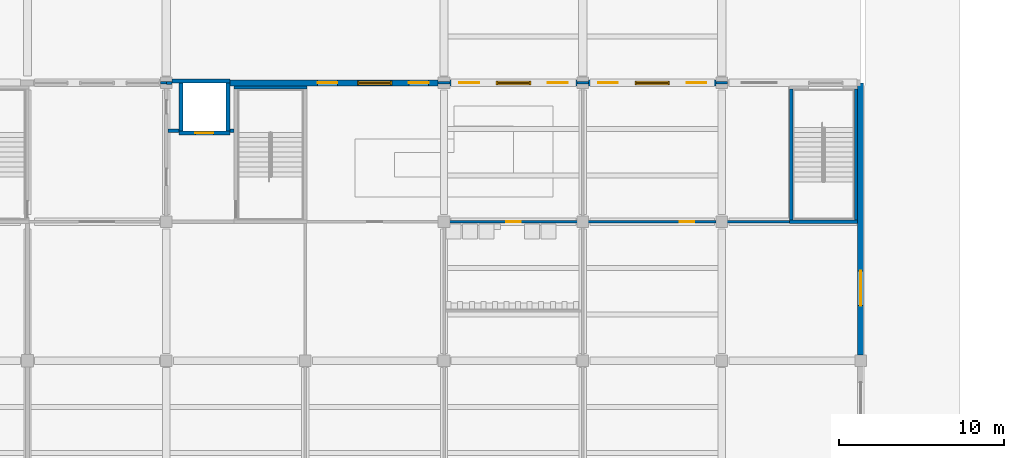
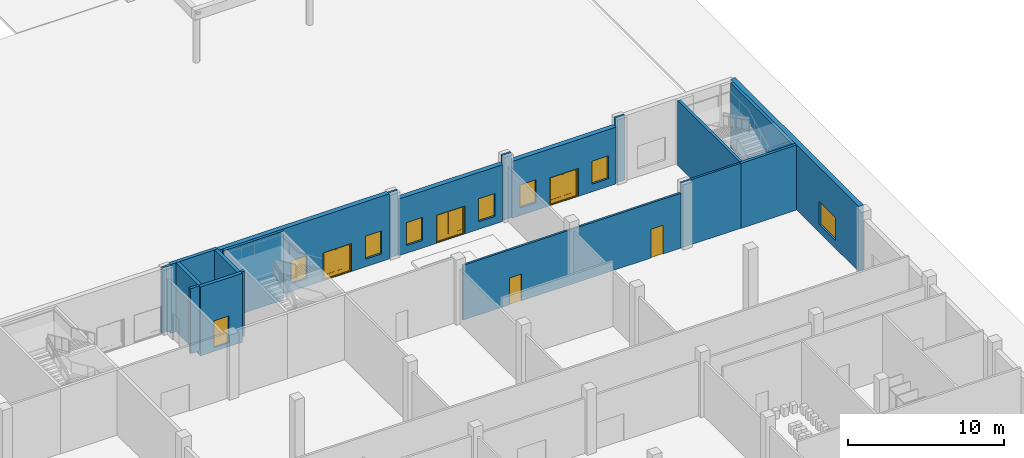
# One storey, part 37 of 74: 21 walls, 7 windows, 6 doors, 13 openings.
"""IFC4 building model written with IfcOpenShell, lengths in metres."""

import ifcopenshell
import ifcopenshell.guid

model = None  # the IFC model being written
_history = None  # IfcOwnerHistory: only IFC2X3 demands one
_inside = {}  # id of a spatial element -> (the spatial element, [elements in it])
_under = {}  # id of a project, library or spatial element -> (it, [spatial elements below it])
_declared = {}  # id of a project -> (the project, [libraries it declares])
_typed = {}  # id of a type object -> (the type object, [elements of that type])
_made_of = {}  # id of a material, layer set ... -> (it, [elements and type objects made of it])


def new_model(schema):
    """Start an empty IFC model of exactly this schema.

    Asked for "IFC4X3", IfcOpenShell would pick the latest addendum, in which some entities
    have other attributes; the version numbers below select the first issue.
    IFC2X3 requires an IfcOwnerHistory on every rooted entity: one is made here for all.
    """
    global model, _history
    if schema == "IFC4X3":
        model = ifcopenshell.file(schema_version=(4, 3, 0, 0))
    else:
        model = ifcopenshell.file(schema=schema)
    _inside.clear()
    _under.clear()
    _declared.clear()
    _typed.clear()
    _made_of.clear()
    _history = None
    if model.schema == "IFC2X3":
        org = make("IfcOrganization", Name="unknown")
        user = make(
            "IfcPersonAndOrganization",
            ThePerson=make("IfcPerson", FamilyName="unknown"),
            TheOrganization=org,
        )
        app = make(
            "IfcApplication",
            ApplicationDeveloper=org,
            Version="unknown",
            ApplicationFullName="unknown",
            ApplicationIdentifier="unknown",
        )
        _history = make(
            "IfcOwnerHistory",
            OwningUser=user,
            OwningApplication=app,
            ChangeAction="ADDED",
            CreationDate=0,
        )
    return model


def make(cls, **values):
    """One entity of the class cls with the attributes given. An attribute that is None is left unset."""
    return model.create_entity(
        cls, **{name: value for name, value in values.items() if value is not None}
    )


def rooted(cls, **values):
    """An entity with a GlobalId (a new one), such as an element, a storey or a relation."""
    return make(cls, GlobalId=ifcopenshell.guid.new(), OwnerHistory=_history, **values)


def si_unit(unit_type, name, prefix=None):
    """IfcSIUnit, for example si_unit("LENGTHUNIT", "METRE", prefix="MILLI")."""
    return make("IfcSIUnit", UnitType=unit_type, Prefix=prefix, Name=name)


def assignment(units):
    """IfcUnitAssignment: the units of a project."""
    return None if units is None else make("IfcUnitAssignment", Units=units)


def point(xyz):
    """IfcCartesianPoint."""
    return None if xyz is None else make("IfcCartesianPoint", Coordinates=xyz)


def direction(xyz):
    """IfcDirection."""
    return None if xyz is None else make("IfcDirection", DirectionRatios=xyz)


def frame(location, z_axis=None, x_axis=None):
    """IfcAxis2Placement3D, a coordinate frame: its origin and axes. An axis left out is left unset."""
    return make(
        "IfcAxis2Placement3D",
        Location=point(location),
        Axis=direction(z_axis),
        RefDirection=direction(x_axis),
    )


def frame_2d(location, x_axis=None):
    """IfcAxis2Placement2D, a coordinate frame in the plane: its origin and x axis."""
    return make(
        "IfcAxis2Placement2D", Location=point(location), RefDirection=direction(x_axis)
    )


def origin():
    """The frame at (0, 0, 0) with its axes left unset."""
    return frame((0.0, 0.0, 0.0))


def place(relative_to, where):
    """IfcLocalPlacement: puts the frame where relative to a parent placement (None: the world)."""
    return make(
        "IfcLocalPlacement", PlacementRelTo=relative_to, RelativePlacement=where
    )


def context(
    kind, dimensions, precision=None, world=None, true_north=None, identifier=None
):
    """IfcGeometricRepresentationContext, for example the 3D "Model" context."""
    return make(
        "IfcGeometricRepresentationContext",
        ContextIdentifier=identifier,
        ContextType=kind,
        CoordinateSpaceDimension=dimensions,
        Precision=precision,
        WorldCoordinateSystem=world,
        TrueNorth=true_north,
    )


def subcontext(parent, identifier, kind, view, scale=None):
    """IfcGeometricRepresentationSubContext, for example "Body" below "Model"."""
    return make(
        "IfcGeometricRepresentationSubContext",
        ContextIdentifier=identifier,
        ContextType=kind,
        ParentContext=parent,
        TargetScale=scale,
        TargetView=view,
    )


def project(units=None, contexts=None):
    """IfcProject with its units and contexts."""
    return rooted(
        "IfcProject",
        Name="project",
        RepresentationContexts=contexts,
        UnitsInContext=assignment(units),
    )


def spatial(cls, under=None, at=None, **own):
    """A site, building, storey or space (cls), placed at a placement, below another one or the project."""
    s = rooted(cls, ObjectPlacement=at, **own)
    if under is not None:
        _under.setdefault(under.id(), (under, []))[1].append(s)
    return s


def profile(cls, at=None, kind="AREA", **sizes):
    """A parametric profile (cls). Its sizes go by their IFC names, for example OverallWidth=200.0."""
    return make(cls, ProfileType=kind, Position=at, **sizes)


def rectangle(**sizes):
    """IfcRectangleProfileDef."""
    return profile("IfcRectangleProfileDef", **sizes)


def extrude(swept, where, along, depth):
    """IfcExtrudedAreaSolid: the profile swept, set in the frame where, extruded along a direction by depth."""
    return make(
        "IfcExtrudedAreaSolid",
        SweptArea=swept,
        Position=where,
        ExtrudedDirection=direction(along),
        Depth=depth,
    )


def shape(context_of_items, identifier, shape_type, items):
    """IfcShapeRepresentation: the items that make up one representation, for example the "Body"."""
    return make(
        "IfcShapeRepresentation",
        ContextOfItems=context_of_items,
        RepresentationIdentifier=identifier,
        RepresentationType=shape_type,
        Items=items,
    )


def material(Name=None, Category=None):
    """IfcMaterial."""
    return make("IfcMaterial", Name=Name, Category=Category)


def layer(
    of_material, thickness, ventilated=None, Name=None, Category=None, Priority=None
):
    """IfcMaterialLayer: one layer of a wall or slab, of a material (None: an air gap)."""
    return make(
        "IfcMaterialLayer",
        Material=of_material,
        LayerThickness=thickness,
        IsVentilated=ventilated,
        Name=Name,
        Category=Category,
        Priority=Priority,
    )


def layer_set(layers, Name=None):
    """IfcMaterialLayerSet."""
    return make("IfcMaterialLayerSet", MaterialLayers=layers, LayerSetName=Name)


def made_of(thing, what):
    """Note that an element or type object is made of a material, layer set ...; save() writes the relation."""
    if what is not None:
        _made_of.setdefault(what.id(), (what, []))[1].append(thing)
    return thing


def type_object(cls, material=None, **own):
    """A type object (cls), such as IfcWallType, which elements share."""
    return made_of(rooted(cls, **own), material)


def element(
    cls,
    number,
    at=None,
    inside=None,
    cuts=None,
    type_object=None,
    material=None,
    context=None,
    identifier="Body",
    shape_type=None,
    held_by="IfcProductDefinitionShape",
    body=None,
    shapes=None,
    **own,
):
    """One element of the class cls, such as IfcWall. Its Tag is "e" and its number.

    at: its placement. inside: the storey or other place that contains it. cuts: it is an
    opening in that element (IfcRelVoidsElement). A single representation is given by context,
    identifier, shape_type and body (its items); several are given by shapes. held_by: the class
    of the entity that holds the representations. save() writes the other relations.
    """
    e = rooted(cls, Tag="e%d" % number, ObjectPlacement=at, **own)
    if body is not None:
        shapes = [shape(context, identifier, shape_type, body)]
    if shapes is not None:
        e.Representation = make(held_by, Representations=shapes)
    if inside is not None:
        _inside.setdefault(inside.id(), (inside, []))[1].append(e)
    if cuts is not None:
        rooted(
            "IfcRelVoidsElement", RelatingBuildingElement=cuts, RelatedOpeningElement=e
        )
    if type_object is not None:
        _typed.setdefault(type_object.id(), (type_object, []))[1].append(e)
    return made_of(e, material)


def fill(opening, filler):
    """IfcRelFillsElement: the door or window that sits in an opening."""
    return rooted(
        "IfcRelFillsElement",
        RelatingOpeningElement=opening,
        RelatedBuildingElement=filler,
    )


def aggregate(whole, parts):
    """IfcRelAggregates: a whole, such as a stair, and the parts it consists of."""
    return rooted("IfcRelAggregates", RelatingObject=whole, RelatedObjects=parts)


def save(model, path):
    """Write the relations noted so far, then the file.

    IfcRelAggregates (storeys below a building ...), IfcRelContainedInSpatialStructure (elements
    in a storey), IfcRelDefinesByType, IfcRelAssociatesMaterial and IfcRelDeclares: one each for
    every whole, place, type object, material and project.
    """
    for whole, parts in _under.values():
        aggregate(whole, parts)
    for where, things in _inside.values():
        rooted(
            "IfcRelContainedInSpatialStructure",
            RelatedElements=things,
            RelatingStructure=where,
        )
    for kind, things in _typed.values():
        rooted("IfcRelDefinesByType", RelatedObjects=things, RelatingType=kind)
    for what, things in _made_of.values():
        rooted("IfcRelAssociatesMaterial", RelatedObjects=things, RelatingMaterial=what)
    for by, libraries in _declared.values():
        rooted("IfcRelDeclares", RelatingContext=by, RelatedDefinitions=libraries)
    model.write(path)


model = new_model("IFC4")

# Units and contexts
model_context = context("Model", 3, precision=1e-05, world=origin(), true_north=direction((0.0, 1.0)))
body_context = subcontext(model_context, "Body", "Model", "MODEL_VIEW")
ifc_project = project(units=[si_unit("LENGTHUNIT", "METRE"), si_unit("AREAUNIT", "SQUARE_METRE"), si_unit("VOLUMEUNIT", "CUBIC_METRE"), si_unit("PLANEANGLEUNIT", "RADIAN"), si_unit("MASSUNIT", "GRAM", prefix="KILO")], contexts=[model_context])

# Site, building, storey
site_placement = place(None, origin())
site = spatial("IfcSite", under=ifc_project, at=site_placement, CompositionType="ELEMENT")
building_placement = place(site_placement, origin())
building = spatial("IfcBuilding", under=site, at=building_placement, Name="Rulbaag Community and Learning Centre", CompositionType="ELEMENT")
storey_placement = place(building_placement, origin())
storey = spatial("IfcBuildingStorey", under=building, at=storey_placement, Name="L00", CompositionType="ELEMENT", Elevation=0.0)

# Wall, openings, door, windows
ifc_material_1 = material(Name="Concrete M40", Category="concrete")
ifc_layer_1 = layer(ifc_material_1, 0.35009765625)
ifc_layer_set_1 = layer_set([ifc_layer_1], Name="EW-CONC350")
wall_type_1 = type_object("IfcWallType", Name="EW-CONC350", PredefinedType="STANDARD", material=ifc_layer_set_1)
wall_1_placement = place(storey_placement, frame((129.85009765625, 50.39990234375, 0.0), z_axis=(0.0, 0.0, 1.0), x_axis=(1.0, 0.0, 0.0)))
wall_1 = element("IfcWall", 1, at=wall_1_placement, inside=storey, type_object=wall_type_1, Name="Board-marked concrete cladding wall AN", PredefinedType="STANDARD", context=body_context, shape_type="SweptSolid", body=[
    extrude(rectangle(XDim=12.599853515625, YDim=0.35009765625, at=frame_2d((6.2998046875, 0.0))), origin(), (0.0, 0.0, 1.0), 5.10009765625),
])
opening_1_placement = place(wall_1_placement, frame((7.699951171875, 0.0, 0.0)))
opening_1 = element("IfcOpeningElement", 2, at=opening_1_placement, cuts=wall_1, Name="Opening L00-D125", PredefinedType="OPENING", context=body_context, shape_type="SweptSolid", body=[
    extrude(rectangle(XDim=2.10009765625, YDim=2.199951171875, at=frame_2d((1.050048828125, 1.10009765625))), frame((0.0, 0.18505859375, 0.0), z_axis=(0.0, -1.0, 0.0), x_axis=(1.0, 0.0, 0.0)), (0.0, 0.0, 1.0), 0.3701171875),
])
opening_2_placement = place(wall_1_placement, frame((5.300048828125, 0.0, 0.60009765625)))
opening_2 = element("IfcOpeningElement", 3, at=opening_2_placement, cuts=wall_1, Name="Opening WN11", PredefinedType="OPENING", context=body_context, shape_type="SweptSolid", body=[
    extrude(rectangle(XDim=1.199951171875, YDim=1.800048828125, at=frame_2d((0.60009765625, 0.89990234375))), frame((0.0, 0.18505859375, 0.0), z_axis=(0.0, -1.0, 0.0), x_axis=(1.0, 0.0, 0.0)), (0.0, 0.0, 1.0), 0.3701171875),
])
opening_3_placement = place(wall_1_placement, frame((10.824951171875, 0.0, 0.60009765625)))
opening_3 = element("IfcOpeningElement", 4, at=opening_3_placement, cuts=wall_1, Name="Opening WN11", PredefinedType="OPENING", context=body_context, shape_type="SweptSolid", body=[
    extrude(rectangle(XDim=1.199951171875, YDim=1.800048828125, at=frame_2d((0.60009765625, 0.89990234375))), frame((0.0, 0.18505859375, 0.0), z_axis=(0.0, -1.0, 0.0), x_axis=(1.0, 0.0, 0.0)), (0.0, 0.0, 1.0), 0.3701171875),
])
ifc_material_2 = material(Name="Aluminium", Category="aluminium")
door_type_1 = type_object("IfcDoorType", Name="DG-21", OperationType="DOUBLE_DOOR_SINGLE_SWING", PredefinedType="DOOR", material=ifc_material_2)
door_1_placement = place(opening_1_placement, origin())
door_1 = element("IfcDoor", 5, at=door_1_placement, inside=storey, type_object=door_type_1, Name="Final exit G20", OperationType="SINGLE_SWING_LEFT", OverallHeight=2.199951171875, OverallWidth=2.10009765625, PredefinedType="DOOR", context=body_context, shape_type="SweptSolid", body=[
    extrude(rectangle(XDim=2.10009765625, YDim=0.012939453125, at=frame_2d((1.050048828125, 0.006591796875))), frame((0.0, 0.114990234375, 0.0), z_axis=(0.0, -1.0, 0.0), x_axis=(1.0, 0.0, 0.0)), (0.0, 0.0, 1.0), 0.22998046875),
    extrude(rectangle(XDim=0.074951171875, YDim=2.112060546875, at=frame_2d((0.03759765625, 1.069091796875))), frame((0.0, 0.125, 0.0), z_axis=(0.0, -1.0, 0.0), x_axis=(1.0, 0.0, 0.0)), (0.0, 0.0, 1.0), 0.25),
    extrude(rectangle(XDim=0.074951171875, YDim=2.112060546875, at=frame_2d((2.0625, 1.069091796875))), frame((0.0, 0.125, 0.0), z_axis=(0.0, -1.0, 0.0), x_axis=(1.0, 0.0, 0.0)), (0.0, 0.0, 1.0), 0.25),
    extrude(rectangle(XDim=2.10009765625, YDim=0.074951171875, at=frame_2d((1.050048828125, 2.16259765625))), frame((0.0, 0.114990234375, 0.0), z_axis=(0.0, -1.0, 0.0), x_axis=(1.0, 0.0, 0.0)), (0.0, 0.0, 1.0), 0.22998046875),
    extrude(rectangle(XDim=1.9501953125, YDim=0.300048828125, at=frame_2d((1.050048828125, 0.1630859375))), frame((0.0, 0.02001953125, 0.0), z_axis=(0.0, -1.0, 0.0), x_axis=(1.0, 0.0, 0.0)), (0.0, 0.0, 1.0), 0.0400390625),
    extrude(rectangle(XDim=1.9501953125, YDim=0.1201171875, at=frame_2d((1.050048828125, 2.06494140625))), frame((0.0, 0.02001953125, 0.0), z_axis=(0.0, -1.0, 0.0), x_axis=(1.0, 0.0, 0.0)), (0.0, 0.0, 1.0), 0.0400390625),
    extrude(rectangle(XDim=0.090087890625, YDim=1.69189453125, at=frame_2d((0.119873046875, 1.158935546875))), frame((0.0, 0.02490234375, 0.0), z_axis=(0.0, -1.0, 0.0), x_axis=(1.0, 0.0, 0.0)), (0.0, 0.0, 1.0), 0.050048828125),
    extrude(rectangle(XDim=0.179931640625, YDim=1.69189453125, at=frame_2d((1.050048828125, 1.158935546875))), frame((0.0, 0.02490234375, 0.0), z_axis=(0.0, -1.0, 0.0), x_axis=(1.0, 0.0, 0.0)), (0.0, 0.0, 1.0), 0.050048828125),
    extrude(rectangle(XDim=0.090087890625, YDim=1.69189453125, at=frame_2d((1.980224609375, 1.158935546875))), frame((0.0, 0.02490234375, 0.0), z_axis=(0.0, -1.0, 0.0), x_axis=(1.0, 0.0, 0.0)), (0.0, 0.0, 1.0), 0.050048828125),
    extrude(rectangle(XDim=0.795166015625, YDim=1.69189453125, at=frame_2d((0.5625, 1.158935546875))), frame((0.0, 0.011962890625, 0.0), z_axis=(0.0, -1.0, 0.0), x_axis=(1.0, 0.0, 0.0)), (0.0, 0.0, 1.0), 0.02392578125),
    extrude(rectangle(XDim=0.795166015625, YDim=1.69189453125, at=frame_2d((1.53759765625, 1.158935546875))), frame((0.0, 0.011962890625, 0.0), z_axis=(0.0, -1.0, 0.0), x_axis=(1.0, 0.0, 0.0)), (0.0, 0.0, 1.0), 0.02392578125),
])
fill(opening_1, door_1)
window_type_1 = type_object("IfcWindowType", Name="WN-N12", PartitioningType="SINGLE_PANEL", PredefinedType="WINDOW", material=ifc_material_2)
window_1_placement = place(opening_2_placement, origin())
window_1 = element("IfcWindow", 6, at=window_1_placement, inside=storey, type_object=window_type_1, Name="Window WN11", OverallHeight=1.800048828125, OverallWidth=1.199951171875, PartitioningType="SINGLE_PANEL", PredefinedType="WINDOW", context=body_context, shape_type="SweptSolid", body=[
    extrude(rectangle(XDim=1.199951171875, YDim=1.800048828125, at=frame_2d((0.60009765625, 0.89990234375))), frame((0.0, 0.030029296875, 0.0), z_axis=(0.0, -1.0, 0.0), x_axis=(1.0, 0.0, 0.0)), (0.0, 0.0, 1.0), 0.06005859375),
])
fill(opening_2, window_1)
window_2_placement = place(opening_3_placement, origin())
window_2 = element("IfcWindow", 7, at=window_2_placement, inside=storey, type_object=window_type_1, Name="Window WN11", OverallHeight=1.800048828125, OverallWidth=1.199951171875, PartitioningType="SINGLE_PANEL", PredefinedType="WINDOW", context=body_context, shape_type="SweptSolid", body=[
    extrude(rectangle(XDim=1.199951171875, YDim=1.800048828125, at=frame_2d((0.60009765625, 0.89990234375))), frame((0.0, 0.030029296875, 0.0), z_axis=(0.0, -1.0, 0.0), x_axis=(1.0, 0.0, 0.0)), (0.0, 0.0, 1.0), 0.06005859375),
])
fill(opening_3, window_2)

wall_2_placement = place(storey_placement, frame((143.14990234375, 50.39990234375, 0.0), z_axis=(0.0, 0.0, 1.0), x_axis=(1.0, 0.0, 0.0)))
wall_2 = element("IfcWall", 8, at=wall_2_placement, inside=storey, type_object=wall_type_1, Name="Board-marked concrete cladding wall AN", PredefinedType="STANDARD", context=body_context, shape_type="SweptSolid", body=[
    extrude(rectangle(XDim=7.7001953125, YDim=0.35009765625, at=frame_2d((3.85009765625, 0.0))), origin(), (0.0, 0.0, 1.0), 4.449951171875),
])
opening_4_placement = place(wall_2_placement, frame((2.800048828125, 0.0, 0.0)))
opening_4 = element("IfcOpeningElement", 9, at=opening_4_placement, cuts=wall_2, Name="Opening L00-D134", PredefinedType="OPENING", context=body_context, shape_type="SweptSolid", body=[
    extrude(rectangle(XDim=2.10009765625, YDim=2.199951171875, at=frame_2d((1.050048828125, 1.10009765625))), frame((0.0, 0.18505859375, 0.0), z_axis=(0.0, -1.0, 0.0), x_axis=(1.0, 0.0, 0.0)), (0.0, 0.0, 1.0), 0.3701171875),
])
opening_5_placement = place(wall_2_placement, frame((0.574951171875, 0.0, 0.60009765625)))
opening_5 = element("IfcOpeningElement", 10, at=opening_5_placement, cuts=wall_2, Name="Opening WN11", PredefinedType="OPENING", context=body_context, shape_type="SweptSolid", body=[
    extrude(rectangle(XDim=1.199951171875, YDim=1.800048828125, at=frame_2d((0.60009765625, 0.89990234375))), frame((0.0, 0.18505859375, 0.0), z_axis=(0.0, -1.0, 0.0), x_axis=(1.0, 0.0, 0.0)), (0.0, 0.0, 1.0), 0.3701171875),
])
opening_6_placement = place(wall_2_placement, frame((5.925048828125, 0.0, 0.60009765625)))
opening_6 = element("IfcOpeningElement", 11, at=opening_6_placement, cuts=wall_2, Name="Opening WN11", PredefinedType="OPENING", context=body_context, shape_type="SweptSolid", body=[
    extrude(rectangle(XDim=1.199951171875, YDim=1.800048828125, at=frame_2d((0.60009765625, 0.89990234375))), frame((0.0, 0.18505859375, 0.0), z_axis=(0.0, -1.0, 0.0), x_axis=(1.0, 0.0, 0.0)), (0.0, 0.0, 1.0), 0.3701171875),
])
door_2_placement = place(opening_4_placement, origin())
door_2 = element("IfcDoor", 12, at=door_2_placement, inside=storey, type_object=door_type_1, Name="Final exit G21", OperationType="SINGLE_SWING_LEFT", OverallHeight=2.199951171875, OverallWidth=2.10009765625, PredefinedType="DOOR", context=body_context, shape_type="SweptSolid", body=[
    extrude(rectangle(XDim=2.10009765625, YDim=0.012939453125, at=frame_2d((1.050048828125, 0.006591796875))), frame((0.0, 0.114990234375, 0.0), z_axis=(0.0, -1.0, 0.0), x_axis=(1.0, 0.0, 0.0)), (0.0, 0.0, 1.0), 0.22998046875),
    extrude(rectangle(XDim=0.074951171875, YDim=2.112060546875, at=frame_2d((0.03759765625, 1.069091796875))), frame((0.0, 0.125, 0.0), z_axis=(0.0, -1.0, 0.0), x_axis=(1.0, 0.0, 0.0)), (0.0, 0.0, 1.0), 0.25),
    extrude(rectangle(XDim=0.074951171875, YDim=2.112060546875, at=frame_2d((2.0625, 1.069091796875))), frame((0.0, 0.125, 0.0), z_axis=(0.0, -1.0, 0.0), x_axis=(1.0, 0.0, 0.0)), (0.0, 0.0, 1.0), 0.25),
    extrude(rectangle(XDim=2.10009765625, YDim=0.074951171875, at=frame_2d((1.050048828125, 2.16259765625))), frame((0.0, 0.114990234375, 0.0), z_axis=(0.0, -1.0, 0.0), x_axis=(1.0, 0.0, 0.0)), (0.0, 0.0, 1.0), 0.22998046875),
    extrude(rectangle(XDim=1.9501953125, YDim=0.300048828125, at=frame_2d((1.050048828125, 0.1630859375))), frame((0.0, 0.02001953125, 0.0), z_axis=(0.0, -1.0, 0.0), x_axis=(1.0, 0.0, 0.0)), (0.0, 0.0, 1.0), 0.0400390625),
    extrude(rectangle(XDim=1.9501953125, YDim=0.1201171875, at=frame_2d((1.050048828125, 2.06494140625))), frame((0.0, 0.02001953125, 0.0), z_axis=(0.0, -1.0, 0.0), x_axis=(1.0, 0.0, 0.0)), (0.0, 0.0, 1.0), 0.0400390625),
    extrude(rectangle(XDim=0.090087890625, YDim=1.69189453125, at=frame_2d((0.119873046875, 1.158935546875))), frame((0.0, 0.02490234375, 0.0), z_axis=(0.0, -1.0, 0.0), x_axis=(1.0, 0.0, 0.0)), (0.0, 0.0, 1.0), 0.050048828125),
    extrude(rectangle(XDim=0.179931640625, YDim=1.69189453125, at=frame_2d((1.050048828125, 1.158935546875))), frame((0.0, 0.02490234375, 0.0), z_axis=(0.0, -1.0, 0.0), x_axis=(1.0, 0.0, 0.0)), (0.0, 0.0, 1.0), 0.050048828125),
    extrude(rectangle(XDim=0.090087890625, YDim=1.69189453125, at=frame_2d((1.980224609375, 1.158935546875))), frame((0.0, 0.02490234375, 0.0), z_axis=(0.0, -1.0, 0.0), x_axis=(1.0, 0.0, 0.0)), (0.0, 0.0, 1.0), 0.050048828125),
    extrude(rectangle(XDim=0.795166015625, YDim=1.69189453125, at=frame_2d((0.5625, 1.158935546875))), frame((0.0, 0.011962890625, 0.0), z_axis=(0.0, -1.0, 0.0), x_axis=(1.0, 0.0, 0.0)), (0.0, 0.0, 1.0), 0.02392578125),
    extrude(rectangle(XDim=0.795166015625, YDim=1.69189453125, at=frame_2d((1.53759765625, 1.158935546875))), frame((0.0, 0.011962890625, 0.0), z_axis=(0.0, -1.0, 0.0), x_axis=(1.0, 0.0, 0.0)), (0.0, 0.0, 1.0), 0.02392578125),
])
fill(opening_4, door_2)
window_3_placement = place(opening_5_placement, origin())
window_3 = element("IfcWindow", 13, at=window_3_placement, inside=storey, type_object=window_type_1, Name="Window WN11", OverallHeight=1.800048828125, OverallWidth=1.199951171875, PartitioningType="SINGLE_PANEL", PredefinedType="WINDOW", context=body_context, shape_type="SweptSolid", body=[
    extrude(rectangle(XDim=1.199951171875, YDim=1.800048828125, at=frame_2d((0.60009765625, 0.89990234375))), frame((0.0, 0.030029296875, 0.0), z_axis=(0.0, -1.0, 0.0), x_axis=(1.0, 0.0, 0.0)), (0.0, 0.0, 1.0), 0.06005859375),
])
fill(opening_5, window_3)
window_4_placement = place(opening_6_placement, origin())
window_4 = element("IfcWindow", 14, at=window_4_placement, inside=storey, type_object=window_type_1, Name="Window WN11", OverallHeight=1.800048828125, OverallWidth=1.199951171875, PartitioningType="SINGLE_PANEL", PredefinedType="WINDOW", context=body_context, shape_type="SweptSolid", body=[
    extrude(rectangle(XDim=1.199951171875, YDim=1.800048828125, at=frame_2d((0.60009765625, 0.89990234375))), frame((0.0, 0.030029296875, 0.0), z_axis=(0.0, -1.0, 0.0), x_axis=(1.0, 0.0, 0.0)), (0.0, 0.0, 1.0), 0.06005859375),
])
fill(opening_6, window_4)

wall_3_placement = place(storey_placement, frame((151.550048828125, 50.39990234375, 0.0), z_axis=(0.0, 0.0, 1.0), x_axis=(1.0, 0.0, 0.0)))
wall_3 = element("IfcWall", 15, at=wall_3_placement, inside=storey, type_object=wall_type_1, Name="Board-marked concrete cladding wall AN", PredefinedType="STANDARD", context=body_context, shape_type="SweptSolid", body=[
    extrude(rectangle(XDim=7.699951171875, YDim=0.35009765625, at=frame_2d((3.85009765625, 0.0))), origin(), (0.0, 0.0, 1.0), 4.449951171875),
])
opening_7_placement = place(wall_3_placement, frame((2.800048828125, 0.0, 0.0)))
opening_7 = element("IfcOpeningElement", 16, at=opening_7_placement, cuts=wall_3, Name="Opening L00-D157", PredefinedType="OPENING", context=body_context, shape_type="SweptSolid", body=[
    extrude(rectangle(XDim=2.10009765625, YDim=2.199951171875, at=frame_2d((1.050048828125, 1.10009765625))), frame((0.0, 0.18505859375, 0.0), z_axis=(0.0, -1.0, 0.0), x_axis=(1.0, 0.0, 0.0)), (0.0, 0.0, 1.0), 0.3701171875),
])
opening_8_placement = place(wall_3_placement, frame((0.574951171875, 0.0, 0.60009765625)))
opening_8 = element("IfcOpeningElement", 17, at=opening_8_placement, cuts=wall_3, Name="Opening WN11", PredefinedType="OPENING", context=body_context, shape_type="SweptSolid", body=[
    extrude(rectangle(XDim=1.199951171875, YDim=1.800048828125, at=frame_2d((0.60009765625, 0.89990234375))), frame((0.0, 0.18505859375, 0.0), z_axis=(0.0, -1.0, 0.0), x_axis=(1.0, 0.0, 0.0)), (0.0, 0.0, 1.0), 0.3701171875),
])
opening_9_placement = place(wall_3_placement, frame((5.925048828125, 0.0, 0.60009765625)))
opening_9 = element("IfcOpeningElement", 18, at=opening_9_placement, cuts=wall_3, Name="Opening WN11", PredefinedType="OPENING", context=body_context, shape_type="SweptSolid", body=[
    extrude(rectangle(XDim=1.199951171875, YDim=1.800048828125, at=frame_2d((0.60009765625, 0.89990234375))), frame((0.0, 0.18505859375, 0.0), z_axis=(0.0, -1.0, 0.0), x_axis=(1.0, 0.0, 0.0)), (0.0, 0.0, 1.0), 0.3701171875),
])
door_3_placement = place(opening_7_placement, origin())
door_3 = element("IfcDoor", 19, at=door_3_placement, inside=storey, type_object=door_type_1, Name="Final exit G22", OperationType="SINGLE_SWING_LEFT", OverallHeight=2.199951171875, OverallWidth=2.10009765625, PredefinedType="DOOR", context=body_context, shape_type="SweptSolid", body=[
    extrude(rectangle(XDim=2.10009765625, YDim=0.012939453125, at=frame_2d((1.050048828125, 0.006591796875))), frame((0.0, 0.114990234375, 0.0), z_axis=(0.0, -1.0, 0.0), x_axis=(1.0, 0.0, 0.0)), (0.0, 0.0, 1.0), 0.22998046875),
    extrude(rectangle(XDim=0.074951171875, YDim=2.112060546875, at=frame_2d((0.03759765625, 1.069091796875))), frame((0.0, 0.125, 0.0), z_axis=(0.0, -1.0, 0.0), x_axis=(1.0, 0.0, 0.0)), (0.0, 0.0, 1.0), 0.25),
    extrude(rectangle(XDim=0.074951171875, YDim=2.112060546875, at=frame_2d((2.0625, 1.069091796875))), frame((0.0, 0.125, 0.0), z_axis=(0.0, -1.0, 0.0), x_axis=(1.0, 0.0, 0.0)), (0.0, 0.0, 1.0), 0.25),
    extrude(rectangle(XDim=2.10009765625, YDim=0.074951171875, at=frame_2d((1.050048828125, 2.16259765625))), frame((0.0, 0.114990234375, 0.0), z_axis=(0.0, -1.0, 0.0), x_axis=(1.0, 0.0, 0.0)), (0.0, 0.0, 1.0), 0.22998046875),
    extrude(rectangle(XDim=1.9501953125, YDim=0.300048828125, at=frame_2d((1.050048828125, 0.1630859375))), frame((0.0, 0.02001953125, 0.0), z_axis=(0.0, -1.0, 0.0), x_axis=(1.0, 0.0, 0.0)), (0.0, 0.0, 1.0), 0.0400390625),
    extrude(rectangle(XDim=1.9501953125, YDim=0.1201171875, at=frame_2d((1.050048828125, 2.06494140625))), frame((0.0, 0.02001953125, 0.0), z_axis=(0.0, -1.0, 0.0), x_axis=(1.0, 0.0, 0.0)), (0.0, 0.0, 1.0), 0.0400390625),
    extrude(rectangle(XDim=0.090087890625, YDim=1.69189453125, at=frame_2d((0.119873046875, 1.158935546875))), frame((0.0, 0.02490234375, 0.0), z_axis=(0.0, -1.0, 0.0), x_axis=(1.0, 0.0, 0.0)), (0.0, 0.0, 1.0), 0.050048828125),
    extrude(rectangle(XDim=0.179931640625, YDim=1.69189453125, at=frame_2d((1.050048828125, 1.158935546875))), frame((0.0, 0.02490234375, 0.0), z_axis=(0.0, -1.0, 0.0), x_axis=(1.0, 0.0, 0.0)), (0.0, 0.0, 1.0), 0.050048828125),
    extrude(rectangle(XDim=0.090087890625, YDim=1.69189453125, at=frame_2d((1.980224609375, 1.158935546875))), frame((0.0, 0.02490234375, 0.0), z_axis=(0.0, -1.0, 0.0), x_axis=(1.0, 0.0, 0.0)), (0.0, 0.0, 1.0), 0.050048828125),
    extrude(rectangle(XDim=0.795166015625, YDim=1.69189453125, at=frame_2d((0.5625, 1.158935546875))), frame((0.0, 0.011962890625, 0.0), z_axis=(0.0, -1.0, 0.0), x_axis=(1.0, 0.0, 0.0)), (0.0, 0.0, 1.0), 0.02392578125),
    extrude(rectangle(XDim=0.795166015625, YDim=1.69189453125, at=frame_2d((1.53759765625, 1.158935546875))), frame((0.0, 0.011962890625, 0.0), z_axis=(0.0, -1.0, 0.0), x_axis=(1.0, 0.0, 0.0)), (0.0, 0.0, 1.0), 0.02392578125),
])
fill(opening_7, door_3)
window_5_placement = place(opening_8_placement, origin())
window_5 = element("IfcWindow", 20, at=window_5_placement, inside=storey, type_object=window_type_1, Name="Window WN11", OverallHeight=1.800048828125, OverallWidth=1.199951171875, PartitioningType="SINGLE_PANEL", PredefinedType="WINDOW", context=body_context, shape_type="SweptSolid", body=[
    extrude(rectangle(XDim=1.199951171875, YDim=1.800048828125, at=frame_2d((0.60009765625, 0.89990234375))), frame((0.0, 0.030029296875, 0.0), z_axis=(0.0, -1.0, 0.0), x_axis=(1.0, 0.0, 0.0)), (0.0, 0.0, 1.0), 0.06005859375),
])
fill(opening_8, window_5)
window_6_placement = place(opening_9_placement, origin())
window_6 = element("IfcWindow", 21, at=window_6_placement, inside=storey, type_object=window_type_1, Name="Window WN11", OverallHeight=1.800048828125, OverallWidth=1.199951171875, PartitioningType="SINGLE_PANEL", PredefinedType="WINDOW", context=body_context, shape_type="SweptSolid", body=[
    extrude(rectangle(XDim=1.199951171875, YDim=1.800048828125, at=frame_2d((0.60009765625, 0.89990234375))), frame((0.0, 0.030029296875, 0.0), z_axis=(0.0, -1.0, 0.0), x_axis=(1.0, 0.0, 0.0)), (0.0, 0.0, 1.0), 0.06005859375),
])
fill(opening_9, window_6)

# Wall, opening, window
wall_4_placement = place(storey_placement, frame((168.0, 33.949951171875, 0.0), z_axis=(0.0, 0.0, 1.0), x_axis=(0.0, 1.0, 0.0)))
wall_4 = element("IfcWall", 22, at=wall_4_placement, inside=storey, type_object=wall_type_1, Name="Board-marked concrete cladding wall AE", PredefinedType="STANDARD", context=body_context, shape_type="SweptSolid", body=[
    extrude(rectangle(XDim=16.449951171875, YDim=0.35009765625, at=frame_2d((8.22509765625, 0.0))), origin(), (0.0, 0.0, 1.0), 5.10009765625),
])
opening_10_placement = place(wall_4_placement, frame((2.97509765625, 0.0, 0.60009765625)))
opening_10 = element("IfcOpeningElement", 23, at=opening_10_placement, cuts=wall_4, Name="Opening WN10", PredefinedType="OPENING", context=body_context, shape_type="SweptSolid", body=[
    extrude(rectangle(XDim=2.10009765625, YDim=1.800048828125, at=frame_2d((1.050048828125, 0.89990234375))), frame((0.0, 0.18505859375, 0.0), z_axis=(0.0, -1.0, 0.0), x_axis=(1.0, 0.0, 0.0)), (0.0, 0.0, 1.0), 0.3701171875),
])
window_type_2 = type_object("IfcWindowType", Name="WN-N21", PartitioningType="DOUBLE_PANEL_VERTICAL", PredefinedType="WINDOW", material=ifc_material_2)
window_7_placement = place(opening_10_placement, origin())
window_7 = element("IfcWindow", 24, at=window_7_placement, inside=storey, type_object=window_type_2, Name="Window WN10", OverallHeight=1.800048828125, OverallWidth=2.10009765625, PartitioningType="SINGLE_PANEL", PredefinedType="WINDOW", context=body_context, shape_type="SweptSolid", body=[
    extrude(rectangle(XDim=2.10009765625, YDim=1.800048828125, at=frame_2d((1.050048828125, 0.89990234375))), frame((0.0, 0.030029296875, 0.0), z_axis=(0.0, -1.0, 0.0), x_axis=(1.0, 0.0, 0.0)), (0.0, 0.0, 1.0), 0.06005859375),
])
fill(opening_10, window_7)

# Walls
ifc_material_3 = material(Name="Concrete blockwork", Category="masonry")
ifc_layer_2 = layer(ifc_material_3, 0.199951171875)
ifc_layer_set_2 = layer_set([ifc_layer_2], Name="FW-200 FIRE WALL 200")
wall_type_2 = type_object("IfcWallType", Name="FW-200 FIRE WALL 200", PredefinedType="SOLIDWALL", material=ifc_layer_set_2)
wall_5_placement = place(storey_placement, frame((126.10009765625, 47.5, 0.0), z_axis=(0.0, 0.0, 1.0), x_axis=(1.0, 0.0, 0.0)))
element("IfcWall", 25, at=wall_5_placement, inside=storey, type_object=wall_type_2, Name="Fire wall L00 35", PredefinedType="SOLIDWALL", context=body_context, shape_type="SweptSolid", body=[
    extrude(rectangle(XDim=0.64990234375, YDim=0.199951171875, at=frame_2d((0.324951171875, 0.0))), origin(), (0.0, 0.0, 1.0), 5.10009765625),
])
wall_6_placement = place(storey_placement, frame((129.85009765625, 47.5, 0.0), z_axis=(0.0, 0.0, 1.0), x_axis=(1.0, 0.0, 0.0)))
element("IfcWall", 26, at=wall_6_placement, inside=storey, type_object=wall_type_2, Name="Fire wall L00 36", PredefinedType="SOLIDWALL", context=body_context, shape_type="SweptSolid", body=[
    extrude(rectangle(XDim=0.25, YDim=0.199951171875, at=frame_2d((0.125, 0.0))), origin(), (0.0, 0.0, 1.0), 5.10009765625),
])
wall_7_placement = place(storey_placement, frame((126.0, 50.39990234375, 0.0), z_axis=(0.0, 0.0, 1.0), x_axis=(1.0, 0.0, 0.0)))
element("IfcWall", 27, at=wall_7_placement, inside=storey, type_object=wall_type_2, Name="Fire wall L00 41", PredefinedType="SOLIDWALL", context=body_context, shape_type="SweptSolid", body=[
    extrude(rectangle(XDim=0.35009765625, YDim=0.199951171875, at=frame_2d((0.175048828125, 0.0))), origin(), (0.0, 0.0, 1.0), 5.10009765625),
])

# Wall, openings, doors
ifc_layer_3 = layer(ifc_material_3, 0.14990234375)
ifc_layer_set_3 = layer_set([ifc_layer_3], Name="IP-150 PARTITION 150")
wall_type_3 = type_object("IfcWallType", Name="IP-150 PARTITION 150", PredefinedType="PARTITIONING", material=ifc_layer_set_3)
wall_8_placement = place(storey_placement, frame((143.1298828125, 42.0, 0.0), z_axis=(0.0, 0.0, 1.0), x_axis=(1.0, 0.0, 0.0)))
wall_8 = element("IfcWall", 28, at=wall_8_placement, inside=storey, type_object=wall_type_3, Name="Partition L00 34.2", PredefinedType="PARTITIONING", context=body_context, shape_type="SweptSolid", body=[
    extrude(rectangle(XDim=16.14013671875, YDim=0.14990234375, at=frame_2d((8.070068359375, 0.0))), origin(), (0.0, 0.0, 1.0), 4.300048828125),
])
opening_11_placement = place(wall_8_placement, frame((3.419921875, 0.0, 0.0)))
opening_11 = element("IfcOpeningElement", 29, at=opening_11_placement, cuts=wall_8, Name="Opening L00-D133", PredefinedType="OPENING", context=body_context, shape_type="SweptSolid", body=[
    extrude(rectangle(XDim=0.89990234375, YDim=2.10009765625, at=frame_2d((0.449951171875, 1.050048828125))), frame((0.0, 0.0849609375, 0.0), z_axis=(0.0, -1.0, 0.0), x_axis=(1.0, 0.0, 0.0)), (0.0, 0.0, 1.0), 0.169921875),
])
opening_12_placement = place(wall_8_placement, frame((13.919921875, 0.0, 0.0)))
opening_12 = element("IfcOpeningElement", 30, at=opening_12_placement, cuts=wall_8, Name="Opening L00-D162", PredefinedType="OPENING", context=body_context, shape_type="SweptSolid", body=[
    extrude(rectangle(XDim=0.89990234375, YDim=2.25, at=frame_2d((0.449951171875, 1.125))), frame((0.0, 0.0849609375, 0.0), z_axis=(0.0, -1.0, 0.0), x_axis=(1.0, 0.0, 0.0)), (0.0, 0.0, 1.0), 0.169921875),
])
ifc_material_4 = material(Name="Timber", Category="wood")
door_type_2 = type_object("IfcDoorType", Name="D-900 NURSERY GLAZED DOOR 900 x 2250", OperationType="SINGLE_SWING_LEFT", PredefinedType="DOOR", material=ifc_material_4)
door_4_placement = place(opening_12_placement, origin())
door_4 = element("IfcDoor", 31, at=door_4_placement, inside=storey, type_object=door_type_2, Name="Door L00-D162", OperationType="SINGLE_SWING_RIGHT", OverallHeight=2.25, OverallWidth=0.89990234375, PredefinedType="DOOR", context=body_context, shape_type="SweptSolid", body=[
    extrude(rectangle(XDim=0.89990234375, YDim=2.25, at=frame_2d((0.449951171875, 1.125))), frame((0.0, 0.02490234375, 0.0), z_axis=(0.0, -1.0, 0.0), x_axis=(1.0, 0.0, 0.0)), (0.0, 0.0, 1.0), 0.050048828125),
])
fill(opening_12, door_4)
door_type_3 = type_object("IfcDoorType", Name="DW-900 TOILET DOOR 900 x 2100", OperationType="SINGLE_SWING_LEFT", PredefinedType="DOOR", material=ifc_material_4)
door_5_placement = place(opening_11_placement, origin())
door_5 = element("IfcDoor", 32, at=door_5_placement, inside=storey, type_object=door_type_3, Name="Door L00-D133", OperationType="SINGLE_SWING_RIGHT", OverallHeight=2.10009765625, OverallWidth=0.89990234375, PredefinedType="DOOR", context=body_context, shape_type="SweptSolid", body=[
    extrude(rectangle(XDim=0.89990234375, YDim=2.10009765625, at=frame_2d((0.449951171875, 1.050048828125))), frame((0.0, 0.02490234375, 0.0), z_axis=(0.0, -1.0, 0.0), x_axis=(1.0, 0.0, 0.0)), (0.0, 0.0, 1.0), 0.050048828125),
])
fill(opening_11, door_5)

# Walls
wall_9_placement = place(storey_placement, frame((159.27001953125, 42.0, 0.0), z_axis=(0.0, 0.0, 1.0), x_axis=(1.0, 0.0, 0.0)))
element("IfcWall", 33, at=wall_9_placement, inside=storey, type_object=wall_type_3, Name="Partition L00 34.3", PredefinedType="PARTITIONING", context=body_context, shape_type="SweptSolid", body=[
    extrude(rectangle(XDim=4.429931640625, YDim=0.14990234375, at=frame_2d((2.21484375, 0.0))), origin(), (0.0, 0.0, 1.0), 5.10009765625),
])
wall_10_placement = place(storey_placement, frame((125.64990234375, 50.39990234375, 0.0), z_axis=(0.0, 0.0, 1.0), x_axis=(1.0, 0.0, 0.0)))
element("IfcWall", 34, at=wall_10_placement, inside=storey, type_object=wall_type_3, Name="Partition L00 40", PredefinedType="PARTITIONING", context=body_context, shape_type="SweptSolid", body=[
    extrude(rectangle(XDim=0.35009765625, YDim=0.14990234375, at=frame_2d((0.175048828125, 0.0))), origin(), (0.0, 0.0, 1.0), 5.10009765625),
])
for number, where, z_axis, x_axis, name in (
    (35, (142.449951171875, 50.39990234375, 0.0), (0.0, 0.0, 1.0), (1.0, 0.0, 0.0), "Partition L00 42"),
    (36, (150.85009765625, 50.39990234375, 0.0), (0.0, 0.0, 1.0), (1.0, 0.0, 0.0), "Partition L00 43"),
    (37, (159.25, 50.39990234375, 0.0), (0.0, 0.0, 1.0), (1.0, 0.0, 0.0), "Partition L00 44"),
):
    element("IfcWall", number, at=place(storey_placement, frame(where, z_axis=z_axis, x_axis=x_axis)), inside=storey, type_object=wall_type_3, Name=name, PredefinedType="PARTITIONING", context=body_context, shape_type="SweptSolid", body=[
        extrude(rectangle(XDim=0.699951171875, YDim=0.14990234375, at=frame_2d((0.35009765625, 0.0))), origin(), (0.0, 0.0, 1.0), 5.10009765625),
    ])

# Wall, opening, door
ifc_layer_4 = layer(ifc_material_1, 0.25)
ifc_layer_set_4 = layer_set([ifc_layer_4], Name="W8 Lift shaft wall 250 Concrete M40")
wall_type_4 = type_object("IfcWallType", Name="W8 Lift shaft wall 250 Concrete M40", PredefinedType="SHEAR", material=ifc_layer_set_4)
wall_11_placement = place(storey_placement, frame((126.75, 47.375, -0.300048828125), z_axis=(0.0, 0.0, 1.0), x_axis=(1.0, 0.0, 0.0)))
wall_11 = element("IfcWall", 38, at=wall_11_placement, inside=storey, type_object=wall_type_4, Name="WL-LH3-S-L00", PredefinedType="SHEAR", context=body_context, shape_type="SweptSolid", body=[
    extrude(rectangle(XDim=3.10009765625, YDim=0.25, at=frame_2d((1.550048828125, 0.0))), origin(), (0.0, 0.0, 1.0), 5.400146484375),
])
opening_13_placement = place(wall_11_placement, frame((1.0, 0.0, 0.300048828125)))
opening_13 = element("IfcOpeningElement", 39, at=opening_13_placement, cuts=wall_11, Name="Opening L00-D116", PredefinedType="OPENING", context=body_context, shape_type="SweptSolid", body=[
    extrude(rectangle(XDim=1.10009765625, YDim=2.10009765625, at=frame_2d((0.550048828125, 1.050048828125))), frame((0.0, 0.135009765625, 0.0), z_axis=(0.0, -1.0, 0.0), x_axis=(1.0, 0.0, 0.0)), (0.0, 0.0, 1.0), 0.27001953125),
])
ifc_material_5 = material(Name="Stainless steel grade 304", Category="steel")
door_type_4 = type_object("IfcDoorType", Name="LD-1100 LIFT LANDING DOOR 1100 x 2100", OperationType="SLIDING_TO_LEFT", PredefinedType="DOOR", material=ifc_material_5)
door_6_placement = place(opening_13_placement, origin())
door_6 = element("IfcDoor", 40, at=door_6_placement, inside=storey, type_object=door_type_4, Name="Lift landing door LH3 L00", OperationType="SLIDING_TO_LEFT", OverallHeight=2.10009765625, OverallWidth=1.10009765625, PredefinedType="DOOR", context=body_context, shape_type="SweptSolid", body=[
    extrude(rectangle(XDim=1.10009765625, YDim=2.10009765625, at=frame_2d((0.550048828125, 1.050048828125))), frame((0.0, 0.02490234375, 0.0), z_axis=(0.0, -1.0, 0.0), x_axis=(1.0, 0.0, 0.0)), (0.0, 0.0, 1.0), 0.050048828125),
])
fill(opening_13, door_6)

# Walls
wall_12_placement = place(storey_placement, frame((126.35009765625, 50.52490234375, -0.300048828125), z_axis=(0.0, 0.0, 1.0), x_axis=(1.0, 0.0, 0.0)))
element("IfcWall", 41, at=wall_12_placement, inside=storey, type_object=wall_type_4, Name="WL-LH3-N-L00", PredefinedType="SHEAR", context=body_context, shape_type="SweptSolid", body=[
    extrude(rectangle(XDim=3.5, YDim=0.25, at=frame_2d((1.75, 0.0))), origin(), (0.0, 0.0, 1.0), 5.400146484375),
])
for number, where, z_axis, x_axis, name in (
    (42, (126.875, 47.5, -0.300048828125), (0.0, 0.0, 1.0), (0.0, 1.0, 0.0), "WL-LH3-W-L00"),
    (43, (129.72509765625, 47.5, -0.300048828125), (0.0, 0.0, 1.0), (0.0, 1.0, 0.0), "WL-LH3-E-L00"),
):
    element("IfcWall", number, at=place(storey_placement, frame(where, z_axis=z_axis, x_axis=x_axis)), inside=storey, type_object=wall_type_4, Name=name, PredefinedType="SHEAR", context=body_context, shape_type="SweptSolid", body=[
        extrude(rectangle(XDim=2.89990234375, YDim=0.25, at=frame_2d((1.449951171875, 0.0))), origin(), (0.0, 0.0, 1.0), 5.400146484375),
    ])
ifc_layer_5 = layer(ifc_material_1, 0.199951171875)
ifc_layer_set_5 = layer_set([ifc_layer_5], Name="WSE Stair enclosure wall 200 Concrete M40")
wall_type_5 = type_object("IfcWallType", Name="WSE Stair enclosure wall 200 Concrete M40", PredefinedType="SHEAR", material=ifc_layer_set_5)
wall_13_placement = place(storey_placement, frame((130.10009765625, 50.125, -0.300048828125), z_axis=(0.0, 0.0, 1.0), x_axis=(1.0, 0.0, 0.0)))
element("IfcWall", 44, at=wall_13_placement, inside=storey, type_object=wall_type_5, Name="Stair enclosure wall SH3 N L00", PredefinedType="SHEAR", context=body_context, shape_type="SweptSolid", body=[
    extrude(rectangle(XDim=4.39990234375, YDim=0.199951171875, at=frame_2d((2.199951171875, 0.0))), origin(), (0.0, 0.0, 1.0), 5.400146484375),
])
wall_14_placement = place(storey_placement, frame((163.699951171875, 42.0, 0.0), z_axis=(0.0, 0.0, 1.0), x_axis=(1.0, 0.0, 0.0)))
element("IfcWall", 45, at=wall_14_placement, inside=storey, type_object=wall_type_5, Name="Stair enclosure wall SH4 S L00", PredefinedType="SHEAR", context=body_context, shape_type="SweptSolid", body=[
    extrude(rectangle(XDim=4.125, YDim=0.199951171875, at=frame_2d((2.0625, 0.0))), origin(), (0.0, 0.0, 1.0), 5.10009765625),
])
for number, where, z_axis, x_axis, name in (
    (46, (163.800048828125, 42.10009765625, 0.0), (0.0, 0.0, 1.0), (0.0, 1.0, 0.0), "Stair enclosure wall SH4 W L00"),
    (47, (167.72509765625, 42.10009765625, 0.0), (0.0, 0.0, 1.0), (0.0, 1.0, 0.0), "Stair enclosure wall SH4 E L00"),
):
    element("IfcWall", number, at=place(storey_placement, frame(where, z_axis=z_axis, x_axis=x_axis)), inside=storey, type_object=wall_type_5, Name=name, PredefinedType="SHEAR", context=body_context, shape_type="SweptSolid", body=[
        extrude(rectangle(XDim=7.9248046875, YDim=0.199951171875, at=frame_2d((3.96240234375, 0.0))), origin(), (0.0, 0.0, 1.0), 5.10009765625),
    ])

save(model, "model.ifc")
